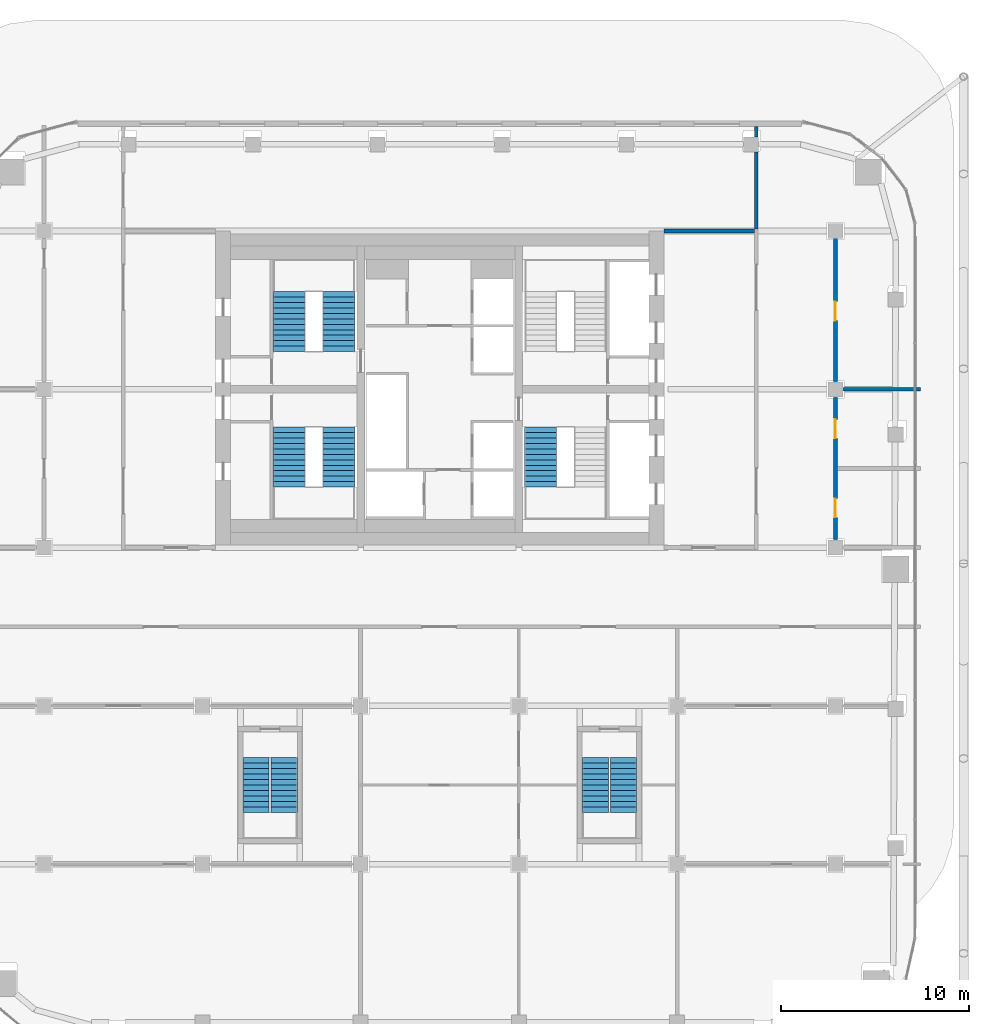
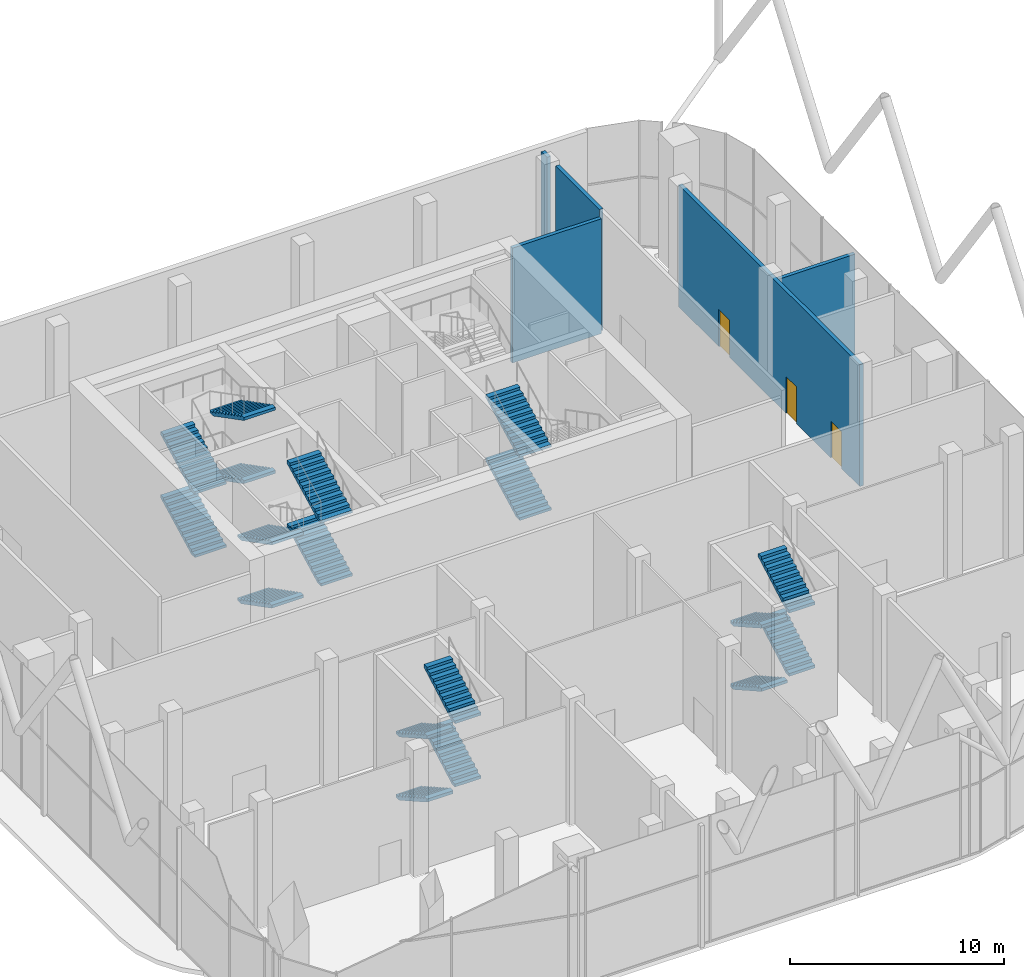
# One storey, part 22 of 25: 18 stair flights, 5 walls, 3 doors, 3 openings, 5 elements without a shape of their own.
"""IFC4 building model written with IfcOpenShell, lengths in metres."""

from ifc_helpers import new_model, si_unit, direction, frame, frame_2d, origin, place, context, subcontext, project, spatial, polyline, rectangle, outline, extrude, material, layer, layer_set, type_object, element, fill, aggregate, save


model = new_model("IFC4")

# Units and contexts
model_context = context("Model", 3, precision=1e-05, world=origin(), true_north=direction((0.0, 1.0)))
body_context = subcontext(model_context, "Body", "Model", "MODEL_VIEW")
ifc_project = project(units=[si_unit("LENGTHUNIT", "METRE"), si_unit("AREAUNIT", "SQUARE_METRE"), si_unit("VOLUMEUNIT", "CUBIC_METRE"), si_unit("PLANEANGLEUNIT", "RADIAN"), si_unit("MASSUNIT", "GRAM", prefix="KILO")], contexts=[model_context])

# Site, building, storey
site_placement = place(None, origin())
site = spatial("IfcSite", under=ifc_project, at=site_placement, CompositionType="ELEMENT")
building_placement = place(site_placement, origin())
building = spatial("IfcBuilding", under=site, at=building_placement, Name="Marenta Gate Hotel Tower", CompositionType="ELEMENT")
storey_placement = place(building_placement, frame((0.0, 0.0, 180.5)))
storey = spatial("IfcBuildingStorey", under=building, at=storey_placement, Name="L41", CompositionType="ELEMENT", Elevation=180.5)

# Wall
ifc_material_1 = material(Name="Concrete blockwork", Category="masonry")
ifc_layer_1 = layer(ifc_material_1, 0.199951171875)
ifc_layer_set_1 = layer_set([ifc_layer_1], Name="Concrete blockwork")
wall_type_1 = type_object("IfcWallType", Name="Core boundary wall 200 REI 180", PredefinedType="PARTITIONING", material=ifc_layer_set_1)
wall_1_placement = place(storey_placement, frame((11.89990234375, 16.800048828125, 0.0), z_axis=(0.0, 0.0, 1.0), x_axis=(1.0, 0.0, 0.0)))
element("IfcWall", 1, at=wall_1_placement, inside=storey, type_object=wall_type_1, Name="L41-CP-EW-EN", PredefinedType="PARTITIONING", context=body_context, shape_type="SweptSolid", body=[
    extrude(rectangle(XDim=4.800048828125, YDim=0.199951171875, at=frame_2d((2.39990234375, 0.0))), origin(), (0.0, 0.0, 1.0), 6.5400390625),
])

# Wall, openings, doors
ifc_material_2 = material(Name="Gypsum board on steel stud", Category="steel")
ifc_layer_2 = layer(ifc_material_2, 0.199951171875)
ifc_layer_set_2 = layer_set([ifc_layer_2], Name="Gypsum board on steel stud")
wall_type_2 = type_object("IfcWallType", Name="Room corridor wall 200 EI 60", PredefinedType="PARTITIONING", material=ifc_layer_set_2)
wall_2_placement = place(storey_placement, frame((21.0, -0.10009765625, 0.0), z_axis=(0.0, 0.0, 1.0), x_axis=(0.0, 1.0, 0.0)))
wall_2 = element("IfcWall", 2, at=wall_2_placement, inside=storey, type_object=wall_type_2, Name="L41-PTN-W001", PredefinedType="PARTITIONING", context=body_context, shape_type="SweptSolid", body=[
    extrude(rectangle(XDim=16.900146484375, YDim=0.199951171875, at=frame_2d((8.4501953125, 0.0))), origin(), (0.0, 0.0, 1.0), 6.93994140625),
])
opening_1_placement = place(wall_2_placement, frame((1.699951171875, 0.0, 0.0)))
opening_1 = element("IfcOpeningElement", 3, at=opening_1_placement, cuts=wall_2, Name="Opening S10-03", PredefinedType="OPENING", context=body_context, shape_type="SweptSolid", body=[
    extrude(rectangle(XDim=1.0, YDim=2.10009765625, at=frame_2d((0.5, 1.050048828125))), frame((0.0, 0.10009765625, 0.0), z_axis=(0.0, -1.0, 0.0), x_axis=(1.0, 0.0, 0.0)), (0.0, 0.0, 1.0), 0.199951171875),
])
opening_2_placement = place(wall_2_placement, frame((5.89990234375, 0.0, 0.0)))
opening_2 = element("IfcOpeningElement", 4, at=opening_2_placement, cuts=wall_2, Name="Opening S10-04", PredefinedType="OPENING", context=body_context, shape_type="SweptSolid", body=[
    extrude(rectangle(XDim=1.0, YDim=2.10009765625, at=frame_2d((0.5, 1.050048828125))), frame((0.0, 0.10009765625, 0.0), z_axis=(0.0, -1.0, 0.0), x_axis=(1.0, 0.0, 0.0)), (0.0, 0.0, 1.0), 0.199951171875),
])
opening_3_placement = place(wall_2_placement, frame((12.14990234375, 0.0, 0.0)))
opening_3 = element("IfcOpeningElement", 5, at=opening_3_placement, cuts=wall_2, Name="Opening S10-05", PredefinedType="OPENING", context=body_context, shape_type="SweptSolid", body=[
    extrude(rectangle(XDim=1.0, YDim=2.10009765625, at=frame_2d((0.5, 1.050048828125))), frame((0.0, 0.10009765625, 0.0), z_axis=(0.0, -1.0, 0.0), x_axis=(1.0, 0.0, 0.0)), (0.0, 0.0, 1.0), 0.199951171875),
])
ifc_material_3 = material(Name="Timber door leaf", Category="wood")
door_type_1 = type_object("IfcDoorType", Name="Room amenity door 1000x2100 EI 30", OperationType="NOTDEFINED", PredefinedType="DOOR", material=ifc_material_3)
door_1_placement = place(opening_3_placement, origin())
door_1 = element("IfcDoor", 6, at=door_1_placement, inside=storey, type_object=door_type_1, Name="L41-PD-D005", OperationType="SINGLE_SWING_RIGHT", OverallHeight=2.10009765625, OverallWidth=1.0, PredefinedType="DOOR", context=body_context, shape_type="SweptSolid", body=[
    extrude(rectangle(XDim=1.0, YDim=2.10009765625, at=frame_2d((0.5, 1.050048828125))), frame((0.0, 0.02490234375, 0.0), z_axis=(0.0, -1.0, 0.0), x_axis=(1.0, 0.0, 0.0)), (0.0, 0.0, 1.0), 0.050048828125),
])
fill(opening_3, door_1)
ifc_material_4 = material(Name="Timber door leaf", Category="wood")
door_type_2 = type_object("IfcDoorType", Name="Toilet room door 1000x2100 EI 30", OperationType="NOTDEFINED", PredefinedType="DOOR", material=ifc_material_4)
door_2_placement = place(opening_1_placement, origin())
door_2 = element("IfcDoor", 7, at=door_2_placement, inside=storey, type_object=door_type_2, Name="L41-PD-D003", OperationType="SINGLE_SWING_RIGHT", OverallHeight=2.10009765625, OverallWidth=1.0, PredefinedType="DOOR", context=body_context, shape_type="SweptSolid", body=[
    extrude(rectangle(XDim=1.0, YDim=2.10009765625, at=frame_2d((0.5, 1.050048828125))), frame((0.0, 0.02490234375, 0.0), z_axis=(0.0, -1.0, 0.0), x_axis=(1.0, 0.0, 0.0)), (0.0, 0.0, 1.0), 0.050048828125),
])
fill(opening_1, door_2)
door_3_placement = place(opening_2_placement, origin())
door_3 = element("IfcDoor", 8, at=door_3_placement, inside=storey, type_object=door_type_2, Name="L41-PD-D004", OperationType="SINGLE_SWING_LEFT", OverallHeight=2.10009765625, OverallWidth=1.0, PredefinedType="DOOR", context=body_context, shape_type="SweptSolid", body=[
    extrude(rectangle(XDim=1.0, YDim=2.10009765625, at=frame_2d((0.5, 1.050048828125))), frame((0.0, 0.02490234375, 0.0), z_axis=(0.0, -1.0, 0.0), x_axis=(1.0, 0.0, 0.0)), (0.0, 0.0, 1.0), 0.050048828125),
])
fill(opening_2, door_3)

# Walls
wall_3_placement = place(storey_placement, frame((16.800048828125, 16.89990234375, 0.0), z_axis=(0.0, 0.0, 1.0), x_axis=(0.0, 1.0, 0.0)))
element("IfcWall", 9, at=wall_3_placement, inside=storey, type_object=wall_type_2, Name="L41-PTN-W002", PredefinedType="PARTITIONING", context=body_context, shape_type="SweptSolid", body=[
    extrude(rectangle(XDim=4.10009765625, YDim=0.199951171875, at=frame_2d((2.050048828125, 0.0))), origin(), (0.0, 0.0, 1.0), 6.93994140625),
])
wall_4_placement = place(storey_placement, frame((16.800048828125, 21.800048828125, 0.0), z_axis=(0.0, 0.0, 1.0), x_axis=(0.0, 1.0, 0.0)))
element("IfcWall", 10, at=wall_4_placement, inside=storey, type_object=wall_type_2, Name="L41-PTN-W003", PredefinedType="PARTITIONING", context=body_context, shape_type="SweptSolid", body=[
    extrude(rectangle(XDim=0.5400390625, YDim=0.199951171875, at=frame_2d((0.27001953125, 0.0))), origin(), (0.0, 0.0, 1.0), 6.93994140625),
])
ifc_material_5 = material(Name="Gypsum board on steel stud", Category="steel")
ifc_layer_3 = layer(ifc_material_5, 0.199951171875)
ifc_layer_set_3 = layer_set([ifc_layer_3], Name="Gypsum board on steel stud")
wall_type_3 = type_object("IfcWallType", Name="Room party wall 200 EI 60", PredefinedType="PARTITIONING", material=ifc_layer_set_3)
wall_5_placement = place(storey_placement, frame((21.10009765625, 8.39990234375, 0.0), z_axis=(0.0, 0.0, 1.0), x_axis=(1.0, 0.0, 0.0)))
element("IfcWall", 11, at=wall_5_placement, inside=storey, type_object=wall_type_3, Name="L41-PTN-W026", PredefinedType="PARTITIONING", context=body_context, shape_type="SweptSolid", body=[
    extrude(rectangle(XDim=4.39990234375, YDim=0.199951171875, at=frame_2d((2.199951171875, 0.0))), origin(), (0.0, 0.0, 1.0), 6.5400390625),
])

# Stair, stair flights
ifc_material_6 = material(Name="Concrete C40", Category="concrete")
stair_type_1 = type_object("IfcStairType", Name="Core exit stair 1700 wide", PredefinedType="HALF_TURN_STAIR", material=ifc_material_6)
stair_1_placement = place(storey_placement, origin())
stair_1 = element("IfcStair", 12, at=stair_1_placement, inside=storey, type_object=stair_type_1, Name="Exit stair 1", PredefinedType="HALF_TURN_STAIR")
ifc_material_7 = material(Name="Concrete C40", Category="concrete")
stair_flight_type_1 = type_object("IfcStairFlightType", Name="Core stair flight 1700 riser 150.0 going 290", PredefinedType="STRAIGHT", material=ifc_material_7)
stair_flight_1_placement = place(storey_placement, frame((-8.0, 6.39990234375, 0.0), z_axis=(0.0, 0.0, 1.0), x_axis=(0.0, -1.0, 0.0)))
stair_flight_1 = element("IfcStairFlight", 13, at=stair_flight_1_placement, type_object=stair_flight_type_1, Name="ST1 flight 1", NumberOfRisers=12, NumberOfTreads=11, PredefinedType="STRAIGHT", RiserHeight=0.15, TreadLength=0.29, context=body_context, shape_type="SweptSolid", body=[
    extrude(outline(polyline([(0.0, 0.0), (0.0, 0.14990234375), (0.2900390625, 0.14990234375), (0.2900390625, 0.300048828125), (0.580078125, 0.300048828125), (0.580078125, 0.449951171875), (0.8701171875, 0.449951171875), (0.8701171875, 0.60009765625), (1.159912109375, 0.60009765625), (1.159912109375, 0.75), (1.449951171875, 0.75), (1.449951171875, 0.89990234375), (1.739990234375, 0.89990234375), (1.739990234375, 1.050048828125), (2.030029296875, 1.050048828125), (2.030029296875, 1.199951171875), (2.320068359375, 1.199951171875), (2.320068359375, 1.35009765625), (2.610107421875, 1.35009765625), (2.610107421875, 1.5), (2.89990234375, 1.5), (2.89990234375, 1.64990234375), (3.18994140625, 1.64990234375), (3.18994140625, 1.800048828125), (3.18994140625, 1.481201171875), (0.326171875, 0.0), (0.0, 0.0)])), frame((0.0, 0.85009765625, 0.0), z_axis=(0.0, -1.0, 0.0), x_axis=(1.0, 0.0, 0.0)), (0.0, 0.0, 1.0), 1.699951171875),
])
stair_flight_2_placement = place(storey_placement, frame((-5.35009765625, 3.2099609375, 1.800048828125), z_axis=(0.0, 0.0, 1.0), x_axis=(0.0, 1.0, 0.0)))
stair_flight_2 = element("IfcStairFlight", 14, at=stair_flight_2_placement, type_object=stair_flight_type_1, Name="ST1 flight 2", NumberOfRisers=12, NumberOfTreads=11, PredefinedType="STRAIGHT", RiserHeight=0.15, TreadLength=0.29, context=body_context, shape_type="SweptSolid", body=[
    extrude(outline(polyline([(0.0, 0.0), (0.0, 0.14990234375), (0.2900390625, 0.14990234375), (0.2900390625, 0.300048828125), (0.580078125, 0.300048828125), (0.580078125, 0.449951171875), (0.8701171875, 0.449951171875), (0.8701171875, 0.60009765625), (1.159912109375, 0.60009765625), (1.159912109375, 0.75), (1.449951171875, 0.75), (1.449951171875, 0.89990234375), (1.739990234375, 0.89990234375), (1.739990234375, 1.050048828125), (2.030029296875, 1.050048828125), (2.030029296875, 1.199951171875), (2.320068359375, 1.199951171875), (2.320068359375, 1.35009765625), (2.610107421875, 1.35009765625), (2.610107421875, 1.5), (2.89990234375, 1.5), (2.89990234375, 1.64990234375), (3.18994140625, 1.64990234375), (3.18994140625, 1.800048828125), (3.18994140625, 1.481201171875), (0.326171875, 0.0), (0.0, 0.0)])), frame((0.0, 0.85009765625, 0.0), z_axis=(0.0, -1.0, 0.0), x_axis=(1.0, 0.0, 0.0)), (0.0, 0.0, 1.0), 1.699951171875),
])
stair_flight_3_placement = place(storey_placement, frame((-8.0, 6.39990234375, 3.60009765625), z_axis=(0.0, 0.0, 1.0), x_axis=(0.0, -1.0, 0.0)))
stair_flight_3 = element("IfcStairFlight", 15, at=stair_flight_3_placement, type_object=stair_flight_type_1, Name="ST1 flight 3", NumberOfRisers=12, NumberOfTreads=11, PredefinedType="STRAIGHT", RiserHeight=0.15, TreadLength=0.29, context=body_context, shape_type="SweptSolid", body=[
    extrude(outline(polyline([(0.0, 0.0), (0.0, 0.14990234375), (0.2900390625, 0.14990234375), (0.2900390625, 0.300048828125), (0.580078125, 0.300048828125), (0.580078125, 0.449951171875), (0.8701171875, 0.449951171875), (0.8701171875, 0.60009765625), (1.159912109375, 0.60009765625), (1.159912109375, 0.75), (1.449951171875, 0.75), (1.449951171875, 0.89990234375), (1.739990234375, 0.89990234375), (1.739990234375, 1.050048828125), (2.030029296875, 1.050048828125), (2.030029296875, 1.199951171875), (2.320068359375, 1.199951171875), (2.320068359375, 1.35009765625), (2.610107421875, 1.35009765625), (2.610107421875, 1.5), (2.89990234375, 1.5), (2.89990234375, 1.64990234375), (3.18994140625, 1.64990234375), (3.18994140625, 1.800048828125), (3.18994140625, 1.481201171875), (0.326171875, 0.0), (0.0, 0.0)])), frame((0.0, 0.85009765625, 0.0), z_axis=(0.0, -1.0, 0.0), x_axis=(1.0, 0.0, 0.0)), (0.0, 0.0, 1.0), 1.699951171875),
])
stair_flight_4_placement = place(storey_placement, frame((-5.35009765625, 3.2099609375, 5.39990234375), z_axis=(0.0, 0.0, 1.0), x_axis=(0.0, 1.0, 0.0)))
stair_flight_4 = element("IfcStairFlight", 16, at=stair_flight_4_placement, type_object=stair_flight_type_1, Name="ST1 flight 4", NumberOfRisers=12, NumberOfTreads=11, PredefinedType="STRAIGHT", RiserHeight=0.15, TreadLength=0.29, context=body_context, shape_type="SweptSolid", body=[
    extrude(outline(polyline([(0.0, 0.0), (0.0, 0.14990234375), (0.2900390625, 0.14990234375), (0.2900390625, 0.300048828125), (0.580078125, 0.300048828125), (0.580078125, 0.449951171875), (0.8701171875, 0.449951171875), (0.8701171875, 0.60009765625), (1.159912109375, 0.60009765625), (1.159912109375, 0.75), (1.449951171875, 0.75), (1.449951171875, 0.89990234375), (1.739990234375, 0.89990234375), (1.739990234375, 1.050048828125), (2.030029296875, 1.050048828125), (2.030029296875, 1.199951171875), (2.320068359375, 1.199951171875), (2.320068359375, 1.35009765625), (2.610107421875, 1.35009765625), (2.610107421875, 1.5), (2.89990234375, 1.5), (2.89990234375, 1.64990234375), (3.18994140625, 1.64990234375), (3.18994140625, 1.800048828125), (3.18994140625, 1.481201171875), (0.326171875, 0.0), (0.0, 0.0)])), frame((0.0, 0.85009765625, 0.0), z_axis=(0.0, -1.0, 0.0), x_axis=(1.0, 0.0, 0.0)), (0.0, 0.0, 1.0), 1.699951171875),
])
aggregate(stair_1, [stair_flight_1, stair_flight_2, stair_flight_3, stair_flight_4])

stair_2_placement = place(storey_placement, origin())
stair_2 = element("IfcStair", 17, at=stair_2_placement, inside=storey, type_object=stair_type_1, Name="Exit stair 2", PredefinedType="HALF_TURN_STAIR")
stair_flight_5_placement = place(storey_placement, frame((-8.0, 10.39990234375, 0.0), z_axis=(0.0, 0.0, 1.0), x_axis=(0.0, 1.0, 0.0)))
stair_flight_5 = element("IfcStairFlight", 18, at=stair_flight_5_placement, type_object=stair_flight_type_1, Name="ST2 flight 1", NumberOfRisers=12, NumberOfTreads=11, PredefinedType="STRAIGHT", RiserHeight=0.15, TreadLength=0.29, context=body_context, shape_type="SweptSolid", body=[
    extrude(outline(polyline([(0.0, 0.0), (0.0, 0.14990234375), (0.2900390625, 0.14990234375), (0.2900390625, 0.300048828125), (0.580078125, 0.300048828125), (0.580078125, 0.449951171875), (0.8701171875, 0.449951171875), (0.8701171875, 0.60009765625), (1.159912109375, 0.60009765625), (1.159912109375, 0.75), (1.449951171875, 0.75), (1.449951171875, 0.89990234375), (1.739990234375, 0.89990234375), (1.739990234375, 1.050048828125), (2.030029296875, 1.050048828125), (2.030029296875, 1.199951171875), (2.320068359375, 1.199951171875), (2.320068359375, 1.35009765625), (2.610107421875, 1.35009765625), (2.610107421875, 1.5), (2.89990234375, 1.5), (2.89990234375, 1.64990234375), (3.18994140625, 1.64990234375), (3.18994140625, 1.800048828125), (3.18994140625, 1.481201171875), (0.326171875, 0.0), (0.0, 0.0)])), frame((0.0, 0.85009765625, 0.0), z_axis=(0.0, -1.0, 0.0), x_axis=(1.0, 0.0, 0.0)), (0.0, 0.0, 1.0), 1.699951171875),
])
stair_flight_6_placement = place(storey_placement, frame((-5.35009765625, 13.590087890625, 1.800048828125), z_axis=(0.0, 0.0, 1.0), x_axis=(0.0, -1.0, 0.0)))
stair_flight_6 = element("IfcStairFlight", 19, at=stair_flight_6_placement, type_object=stair_flight_type_1, Name="ST2 flight 2", NumberOfRisers=12, NumberOfTreads=11, PredefinedType="STRAIGHT", RiserHeight=0.15, TreadLength=0.29, context=body_context, shape_type="SweptSolid", body=[
    extrude(outline(polyline([(0.0, 0.0), (0.0, 0.14990234375), (0.2900390625, 0.14990234375), (0.2900390625, 0.300048828125), (0.580078125, 0.300048828125), (0.580078125, 0.449951171875), (0.8701171875, 0.449951171875), (0.8701171875, 0.60009765625), (1.159912109375, 0.60009765625), (1.159912109375, 0.75), (1.449951171875, 0.75), (1.449951171875, 0.89990234375), (1.739990234375, 0.89990234375), (1.739990234375, 1.050048828125), (2.030029296875, 1.050048828125), (2.030029296875, 1.199951171875), (2.320068359375, 1.199951171875), (2.320068359375, 1.35009765625), (2.610107421875, 1.35009765625), (2.610107421875, 1.5), (2.89990234375, 1.5), (2.89990234375, 1.64990234375), (3.18994140625, 1.64990234375), (3.18994140625, 1.800048828125), (3.18994140625, 1.481201171875), (0.326171875, 0.0), (0.0, 0.0)])), frame((0.0, 0.85009765625, 0.0), z_axis=(0.0, -1.0, 0.0), x_axis=(1.0, 0.0, 0.0)), (0.0, 0.0, 1.0), 1.699951171875),
])
stair_flight_7_placement = place(storey_placement, frame((-8.0, 10.39990234375, 3.60009765625), z_axis=(0.0, 0.0, 1.0), x_axis=(0.0, 1.0, 0.0)))
stair_flight_7 = element("IfcStairFlight", 20, at=stair_flight_7_placement, type_object=stair_flight_type_1, Name="ST2 flight 3", NumberOfRisers=12, NumberOfTreads=11, PredefinedType="STRAIGHT", RiserHeight=0.15, TreadLength=0.29, context=body_context, shape_type="SweptSolid", body=[
    extrude(outline(polyline([(0.0, 0.0), (0.0, 0.14990234375), (0.2900390625, 0.14990234375), (0.2900390625, 0.300048828125), (0.580078125, 0.300048828125), (0.580078125, 0.449951171875), (0.8701171875, 0.449951171875), (0.8701171875, 0.60009765625), (1.159912109375, 0.60009765625), (1.159912109375, 0.75), (1.449951171875, 0.75), (1.449951171875, 0.89990234375), (1.739990234375, 0.89990234375), (1.739990234375, 1.050048828125), (2.030029296875, 1.050048828125), (2.030029296875, 1.199951171875), (2.320068359375, 1.199951171875), (2.320068359375, 1.35009765625), (2.610107421875, 1.35009765625), (2.610107421875, 1.5), (2.89990234375, 1.5), (2.89990234375, 1.64990234375), (3.18994140625, 1.64990234375), (3.18994140625, 1.800048828125), (3.18994140625, 1.481201171875), (0.326171875, 0.0), (0.0, 0.0)])), frame((0.0, 0.85009765625, 0.0), z_axis=(0.0, -1.0, 0.0), x_axis=(1.0, 0.0, 0.0)), (0.0, 0.0, 1.0), 1.699951171875),
])
stair_flight_8_placement = place(storey_placement, frame((-5.35009765625, 13.590087890625, 5.39990234375), z_axis=(0.0, 0.0, 1.0), x_axis=(0.0, -1.0, 0.0)))
stair_flight_8 = element("IfcStairFlight", 21, at=stair_flight_8_placement, type_object=stair_flight_type_1, Name="ST2 flight 4", NumberOfRisers=12, NumberOfTreads=11, PredefinedType="STRAIGHT", RiserHeight=0.15, TreadLength=0.29, context=body_context, shape_type="SweptSolid", body=[
    extrude(outline(polyline([(0.0, 0.0), (0.0, 0.14990234375), (0.2900390625, 0.14990234375), (0.2900390625, 0.300048828125), (0.580078125, 0.300048828125), (0.580078125, 0.449951171875), (0.8701171875, 0.449951171875), (0.8701171875, 0.60009765625), (1.159912109375, 0.60009765625), (1.159912109375, 0.75), (1.449951171875, 0.75), (1.449951171875, 0.89990234375), (1.739990234375, 0.89990234375), (1.739990234375, 1.050048828125), (2.030029296875, 1.050048828125), (2.030029296875, 1.199951171875), (2.320068359375, 1.199951171875), (2.320068359375, 1.35009765625), (2.610107421875, 1.35009765625), (2.610107421875, 1.5), (2.89990234375, 1.5), (2.89990234375, 1.64990234375), (3.18994140625, 1.64990234375), (3.18994140625, 1.800048828125), (3.18994140625, 1.481201171875), (0.326171875, 0.0), (0.0, 0.0)])), frame((0.0, 0.85009765625, 0.0), z_axis=(0.0, -1.0, 0.0), x_axis=(1.0, 0.0, 0.0)), (0.0, 0.0, 1.0), 1.699951171875),
])
aggregate(stair_2, [stair_flight_5, stair_flight_6, stair_flight_7, stair_flight_8])

stair_3_placement = place(storey_placement, origin())
stair_3 = element("IfcStair", 22, at=stair_3_placement, inside=storey, type_object=stair_type_1, Name="Exit stair 3", PredefinedType="HALF_TURN_STAIR")
stair_flight_9_placement = place(storey_placement, frame((5.35009765625, 3.2099609375, 1.800048828125), z_axis=(0.0, 0.0, 1.0), x_axis=(0.0, 1.0, 0.0)))
stair_flight_9 = element("IfcStairFlight", 23, at=stair_flight_9_placement, type_object=stair_flight_type_1, Name="ST3 flight 2", NumberOfRisers=12, NumberOfTreads=11, PredefinedType="STRAIGHT", RiserHeight=0.15, TreadLength=0.29, context=body_context, shape_type="SweptSolid", body=[
    extrude(outline(polyline([(0.0, 0.0), (0.0, 0.14990234375), (0.2900390625, 0.14990234375), (0.2900390625, 0.300048828125), (0.580078125, 0.300048828125), (0.580078125, 0.449951171875), (0.8701171875, 0.449951171875), (0.8701171875, 0.60009765625), (1.159912109375, 0.60009765625), (1.159912109375, 0.75), (1.449951171875, 0.75), (1.449951171875, 0.89990234375), (1.739990234375, 0.89990234375), (1.739990234375, 1.050048828125), (2.030029296875, 1.050048828125), (2.030029296875, 1.199951171875), (2.320068359375, 1.199951171875), (2.320068359375, 1.35009765625), (2.610107421875, 1.35009765625), (2.610107421875, 1.5), (2.89990234375, 1.5), (2.89990234375, 1.64990234375), (3.18994140625, 1.64990234375), (3.18994140625, 1.800048828125), (3.18994140625, 1.481201171875), (0.326171875, 0.0), (0.0, 0.0)])), frame((0.0, 0.85009765625, 0.0), z_axis=(0.0, -1.0, 0.0), x_axis=(1.0, 0.0, 0.0)), (0.0, 0.0, 1.0), 1.699951171875),
])
stair_flight_10_placement = place(storey_placement, frame((5.35009765625, 3.2099609375, 5.39990234375), z_axis=(0.0, 0.0, 1.0), x_axis=(0.0, 1.0, 0.0)))
stair_flight_10 = element("IfcStairFlight", 24, at=stair_flight_10_placement, type_object=stair_flight_type_1, Name="ST3 flight 4", NumberOfRisers=12, NumberOfTreads=11, PredefinedType="STRAIGHT", RiserHeight=0.15, TreadLength=0.29, context=body_context, shape_type="SweptSolid", body=[
    extrude(outline(polyline([(0.0, 0.0), (0.0, 0.14990234375), (0.2900390625, 0.14990234375), (0.2900390625, 0.300048828125), (0.580078125, 0.300048828125), (0.580078125, 0.449951171875), (0.8701171875, 0.449951171875), (0.8701171875, 0.60009765625), (1.159912109375, 0.60009765625), (1.159912109375, 0.75), (1.449951171875, 0.75), (1.449951171875, 0.89990234375), (1.739990234375, 0.89990234375), (1.739990234375, 1.050048828125), (2.030029296875, 1.050048828125), (2.030029296875, 1.199951171875), (2.320068359375, 1.199951171875), (2.320068359375, 1.35009765625), (2.610107421875, 1.35009765625), (2.610107421875, 1.5), (2.89990234375, 1.5), (2.89990234375, 1.64990234375), (3.18994140625, 1.64990234375), (3.18994140625, 1.800048828125), (3.18994140625, 1.481201171875), (0.326171875, 0.0), (0.0, 0.0)])), frame((0.0, 0.85009765625, 0.0), z_axis=(0.0, -1.0, 0.0), x_axis=(1.0, 0.0, 0.0)), (0.0, 0.0, 1.0), 1.699951171875),
])
aggregate(stair_3, [stair_flight_9, stair_flight_10])

ifc_material_8 = material(Name="Concrete C40", Category="concrete")
stair_type_2 = type_object("IfcStairType", Name="Remote exit stair 1400 wide", PredefinedType="HALF_TURN_STAIR", material=ifc_material_8)
stair_4_placement = place(storey_placement, origin())
stair_4 = element("IfcStair", 25, at=stair_4_placement, inside=storey, type_object=stair_type_2, Name="Exit stair RS-Z3-1", PredefinedType="HALF_TURN_STAIR")
ifc_material_9 = material(Name="Concrete C40", Category="concrete")
stair_flight_type_2 = type_object("IfcStairFlightType", Name="Remote stair flight 1400 riser 163.6 going 290", PredefinedType="STRAIGHT", material=ifc_material_9)
stair_flight_11_placement = place(storey_placement, frame((-9.75, -11.14990234375, 0.0), z_axis=(0.0, 0.0, 1.0), x_axis=(0.0, -1.0, 0.0)))
stair_flight_11 = element("IfcStairFlight", 26, at=stair_flight_11_placement, type_object=stair_flight_type_2, Name="RS-Z3-1 flight 1", NumberOfRisers=11, NumberOfTreads=10, PredefinedType="STRAIGHT", RiserHeight=0.163636, TreadLength=0.29, context=body_context, shape_type="SweptSolid", body=[
    extrude(outline(polyline([(0.0, 0.0), (0.0, 0.16357421875), (0.2900390625, 0.16357421875), (0.2900390625, 0.327392578125), (0.580078125, 0.327392578125), (0.580078125, 0.490966796875), (0.8701171875, 0.490966796875), (0.8701171875, 0.654541015625), (1.159912109375, 0.654541015625), (1.159912109375, 0.818115234375), (1.449951171875, 0.818115234375), (1.449951171875, 0.98193359375), (1.739990234375, 0.98193359375), (1.739990234375, 1.1455078125), (2.030029296875, 1.1455078125), (2.030029296875, 1.30908203125), (2.320068359375, 1.30908203125), (2.320068359375, 1.47265625), (2.610107421875, 1.47265625), (2.610107421875, 1.636474609375), (2.89990234375, 1.636474609375), (2.89990234375, 1.800048828125), (2.89990234375, 1.46435546875), (0.304931640625, 0.0), (0.0, 0.0)])), frame((0.0, 0.699951171875, 0.0), z_axis=(0.0, -1.0, 0.0), x_axis=(1.0, 0.0, 0.0)), (0.0, 0.0, 1.0), 1.39990234375),
])
stair_flight_12_placement = place(storey_placement, frame((-8.25, -14.050048828125, 1.800048828125), z_axis=(0.0, 0.0, 1.0), x_axis=(0.0, 1.0, 0.0)))
stair_flight_12 = element("IfcStairFlight", 27, at=stair_flight_12_placement, type_object=stair_flight_type_2, Name="RS-Z3-1 flight 2", NumberOfRisers=11, NumberOfTreads=10, PredefinedType="STRAIGHT", RiserHeight=0.163636, TreadLength=0.29, context=body_context, shape_type="SweptSolid", body=[
    extrude(outline(polyline([(0.0, 0.0), (0.0, 0.16357421875), (0.2900390625, 0.16357421875), (0.2900390625, 0.327392578125), (0.580078125, 0.327392578125), (0.580078125, 0.490966796875), (0.8701171875, 0.490966796875), (0.8701171875, 0.654541015625), (1.159912109375, 0.654541015625), (1.159912109375, 0.818115234375), (1.449951171875, 0.818115234375), (1.449951171875, 0.98193359375), (1.739990234375, 0.98193359375), (1.739990234375, 1.1455078125), (2.030029296875, 1.1455078125), (2.030029296875, 1.30908203125), (2.320068359375, 1.30908203125), (2.320068359375, 1.47265625), (2.610107421875, 1.47265625), (2.610107421875, 1.636474609375), (2.89990234375, 1.636474609375), (2.89990234375, 1.800048828125), (2.89990234375, 1.46435546875), (0.304931640625, 0.0), (0.0, 0.0)])), frame((0.0, 0.699951171875, 0.0), z_axis=(0.0, -1.0, 0.0), x_axis=(1.0, 0.0, 0.0)), (0.0, 0.0, 1.0), 1.39990234375),
])
stair_flight_13_placement = place(storey_placement, frame((-9.75, -11.14990234375, 3.60009765625), z_axis=(0.0, 0.0, 1.0), x_axis=(0.0, -1.0, 0.0)))
stair_flight_13 = element("IfcStairFlight", 28, at=stair_flight_13_placement, type_object=stair_flight_type_2, Name="RS-Z3-1 flight 3", NumberOfRisers=11, NumberOfTreads=10, PredefinedType="STRAIGHT", RiserHeight=0.163636, TreadLength=0.29, context=body_context, shape_type="SweptSolid", body=[
    extrude(outline(polyline([(0.0, 0.0), (0.0, 0.16357421875), (0.2900390625, 0.16357421875), (0.2900390625, 0.327392578125), (0.580078125, 0.327392578125), (0.580078125, 0.490966796875), (0.8701171875, 0.490966796875), (0.8701171875, 0.654541015625), (1.159912109375, 0.654541015625), (1.159912109375, 0.818115234375), (1.449951171875, 0.818115234375), (1.449951171875, 0.98193359375), (1.739990234375, 0.98193359375), (1.739990234375, 1.1455078125), (2.030029296875, 1.1455078125), (2.030029296875, 1.30908203125), (2.320068359375, 1.30908203125), (2.320068359375, 1.47265625), (2.610107421875, 1.47265625), (2.610107421875, 1.636474609375), (2.89990234375, 1.636474609375), (2.89990234375, 1.800048828125), (2.89990234375, 1.46435546875), (0.304931640625, 0.0), (0.0, 0.0)])), frame((0.0, 0.699951171875, 0.0), z_axis=(0.0, -1.0, 0.0), x_axis=(1.0, 0.0, 0.0)), (0.0, 0.0, 1.0), 1.39990234375),
])
stair_flight_14_placement = place(storey_placement, frame((-8.25, -14.050048828125, 5.39990234375), z_axis=(0.0, 0.0, 1.0), x_axis=(0.0, 1.0, 0.0)))
stair_flight_14 = element("IfcStairFlight", 29, at=stair_flight_14_placement, type_object=stair_flight_type_2, Name="RS-Z3-1 flight 4", NumberOfRisers=11, NumberOfTreads=10, PredefinedType="STRAIGHT", RiserHeight=0.163636, TreadLength=0.29, context=body_context, shape_type="SweptSolid", body=[
    extrude(outline(polyline([(0.0, 0.0), (0.0, 0.16357421875), (0.2900390625, 0.16357421875), (0.2900390625, 0.327392578125), (0.580078125, 0.327392578125), (0.580078125, 0.490966796875), (0.8701171875, 0.490966796875), (0.8701171875, 0.654541015625), (1.159912109375, 0.654541015625), (1.159912109375, 0.818115234375), (1.449951171875, 0.818115234375), (1.449951171875, 0.98193359375), (1.739990234375, 0.98193359375), (1.739990234375, 1.1455078125), (2.030029296875, 1.1455078125), (2.030029296875, 1.30908203125), (2.320068359375, 1.30908203125), (2.320068359375, 1.47265625), (2.610107421875, 1.47265625), (2.610107421875, 1.636474609375), (2.89990234375, 1.636474609375), (2.89990234375, 1.800048828125), (2.89990234375, 1.46435546875), (0.304931640625, 0.0), (0.0, 0.0)])), frame((0.0, 0.699951171875, 0.0), z_axis=(0.0, -1.0, 0.0), x_axis=(1.0, 0.0, 0.0)), (0.0, 0.0, 1.0), 1.39990234375),
])
aggregate(stair_4, [stair_flight_11, stair_flight_12, stair_flight_13, stair_flight_14])

stair_5_placement = place(storey_placement, origin())
stair_5 = element("IfcStair", 30, at=stair_5_placement, inside=storey, type_object=stair_type_2, Name="Exit stair RS-Z3-2", PredefinedType="HALF_TURN_STAIR")
stair_flight_15_placement = place(storey_placement, frame((8.25, -11.14990234375, 0.0), z_axis=(0.0, 0.0, 1.0), x_axis=(0.0, -1.0, 0.0)))
stair_flight_15 = element("IfcStairFlight", 31, at=stair_flight_15_placement, type_object=stair_flight_type_2, Name="RS-Z3-2 flight 1", NumberOfRisers=11, NumberOfTreads=10, PredefinedType="STRAIGHT", RiserHeight=0.163636, TreadLength=0.29, context=body_context, shape_type="SweptSolid", body=[
    extrude(outline(polyline([(0.0, 0.0), (0.0, 0.16357421875), (0.2900390625, 0.16357421875), (0.2900390625, 0.327392578125), (0.580078125, 0.327392578125), (0.580078125, 0.490966796875), (0.8701171875, 0.490966796875), (0.8701171875, 0.654541015625), (1.159912109375, 0.654541015625), (1.159912109375, 0.818115234375), (1.449951171875, 0.818115234375), (1.449951171875, 0.98193359375), (1.739990234375, 0.98193359375), (1.739990234375, 1.1455078125), (2.030029296875, 1.1455078125), (2.030029296875, 1.30908203125), (2.320068359375, 1.30908203125), (2.320068359375, 1.47265625), (2.610107421875, 1.47265625), (2.610107421875, 1.636474609375), (2.89990234375, 1.636474609375), (2.89990234375, 1.800048828125), (2.89990234375, 1.46435546875), (0.304931640625, 0.0), (0.0, 0.0)])), frame((0.0, 0.699951171875, 0.0), z_axis=(0.0, -1.0, 0.0), x_axis=(1.0, 0.0, 0.0)), (0.0, 0.0, 1.0), 1.39990234375),
])
stair_flight_16_placement = place(storey_placement, frame((9.75, -14.050048828125, 1.800048828125), z_axis=(0.0, 0.0, 1.0), x_axis=(0.0, 1.0, 0.0)))
stair_flight_16 = element("IfcStairFlight", 32, at=stair_flight_16_placement, type_object=stair_flight_type_2, Name="RS-Z3-2 flight 2", NumberOfRisers=11, NumberOfTreads=10, PredefinedType="STRAIGHT", RiserHeight=0.163636, TreadLength=0.29, context=body_context, shape_type="SweptSolid", body=[
    extrude(outline(polyline([(0.0, 0.0), (0.0, 0.16357421875), (0.2900390625, 0.16357421875), (0.2900390625, 0.327392578125), (0.580078125, 0.327392578125), (0.580078125, 0.490966796875), (0.8701171875, 0.490966796875), (0.8701171875, 0.654541015625), (1.159912109375, 0.654541015625), (1.159912109375, 0.818115234375), (1.449951171875, 0.818115234375), (1.449951171875, 0.98193359375), (1.739990234375, 0.98193359375), (1.739990234375, 1.1455078125), (2.030029296875, 1.1455078125), (2.030029296875, 1.30908203125), (2.320068359375, 1.30908203125), (2.320068359375, 1.47265625), (2.610107421875, 1.47265625), (2.610107421875, 1.636474609375), (2.89990234375, 1.636474609375), (2.89990234375, 1.800048828125), (2.89990234375, 1.46435546875), (0.304931640625, 0.0), (0.0, 0.0)])), frame((0.0, 0.699951171875, 0.0), z_axis=(0.0, -1.0, 0.0), x_axis=(1.0, 0.0, 0.0)), (0.0, 0.0, 1.0), 1.39990234375),
])
stair_flight_17_placement = place(storey_placement, frame((8.25, -11.14990234375, 3.60009765625), z_axis=(0.0, 0.0, 1.0), x_axis=(0.0, -1.0, 0.0)))
stair_flight_17 = element("IfcStairFlight", 33, at=stair_flight_17_placement, type_object=stair_flight_type_2, Name="RS-Z3-2 flight 3", NumberOfRisers=11, NumberOfTreads=10, PredefinedType="STRAIGHT", RiserHeight=0.163636, TreadLength=0.29, context=body_context, shape_type="SweptSolid", body=[
    extrude(outline(polyline([(0.0, 0.0), (0.0, 0.16357421875), (0.2900390625, 0.16357421875), (0.2900390625, 0.327392578125), (0.580078125, 0.327392578125), (0.580078125, 0.490966796875), (0.8701171875, 0.490966796875), (0.8701171875, 0.654541015625), (1.159912109375, 0.654541015625), (1.159912109375, 0.818115234375), (1.449951171875, 0.818115234375), (1.449951171875, 0.98193359375), (1.739990234375, 0.98193359375), (1.739990234375, 1.1455078125), (2.030029296875, 1.1455078125), (2.030029296875, 1.30908203125), (2.320068359375, 1.30908203125), (2.320068359375, 1.47265625), (2.610107421875, 1.47265625), (2.610107421875, 1.636474609375), (2.89990234375, 1.636474609375), (2.89990234375, 1.800048828125), (2.89990234375, 1.46435546875), (0.304931640625, 0.0), (0.0, 0.0)])), frame((0.0, 0.699951171875, 0.0), z_axis=(0.0, -1.0, 0.0), x_axis=(1.0, 0.0, 0.0)), (0.0, 0.0, 1.0), 1.39990234375),
])
stair_flight_18_placement = place(storey_placement, frame((9.75, -14.050048828125, 5.39990234375), z_axis=(0.0, 0.0, 1.0), x_axis=(0.0, 1.0, 0.0)))
stair_flight_18 = element("IfcStairFlight", 34, at=stair_flight_18_placement, type_object=stair_flight_type_2, Name="RS-Z3-2 flight 4", NumberOfRisers=11, NumberOfTreads=10, PredefinedType="STRAIGHT", RiserHeight=0.163636, TreadLength=0.29, context=body_context, shape_type="SweptSolid", body=[
    extrude(outline(polyline([(0.0, 0.0), (0.0, 0.16357421875), (0.2900390625, 0.16357421875), (0.2900390625, 0.327392578125), (0.580078125, 0.327392578125), (0.580078125, 0.490966796875), (0.8701171875, 0.490966796875), (0.8701171875, 0.654541015625), (1.159912109375, 0.654541015625), (1.159912109375, 0.818115234375), (1.449951171875, 0.818115234375), (1.449951171875, 0.98193359375), (1.739990234375, 0.98193359375), (1.739990234375, 1.1455078125), (2.030029296875, 1.1455078125), (2.030029296875, 1.30908203125), (2.320068359375, 1.30908203125), (2.320068359375, 1.47265625), (2.610107421875, 1.47265625), (2.610107421875, 1.636474609375), (2.89990234375, 1.636474609375), (2.89990234375, 1.800048828125), (2.89990234375, 1.46435546875), (0.304931640625, 0.0), (0.0, 0.0)])), frame((0.0, 0.699951171875, 0.0), z_axis=(0.0, -1.0, 0.0), x_axis=(1.0, 0.0, 0.0)), (0.0, 0.0, 1.0), 1.39990234375),
])
aggregate(stair_5, [stair_flight_15, stair_flight_16, stair_flight_17, stair_flight_18])

save(model, "model.ifc")
